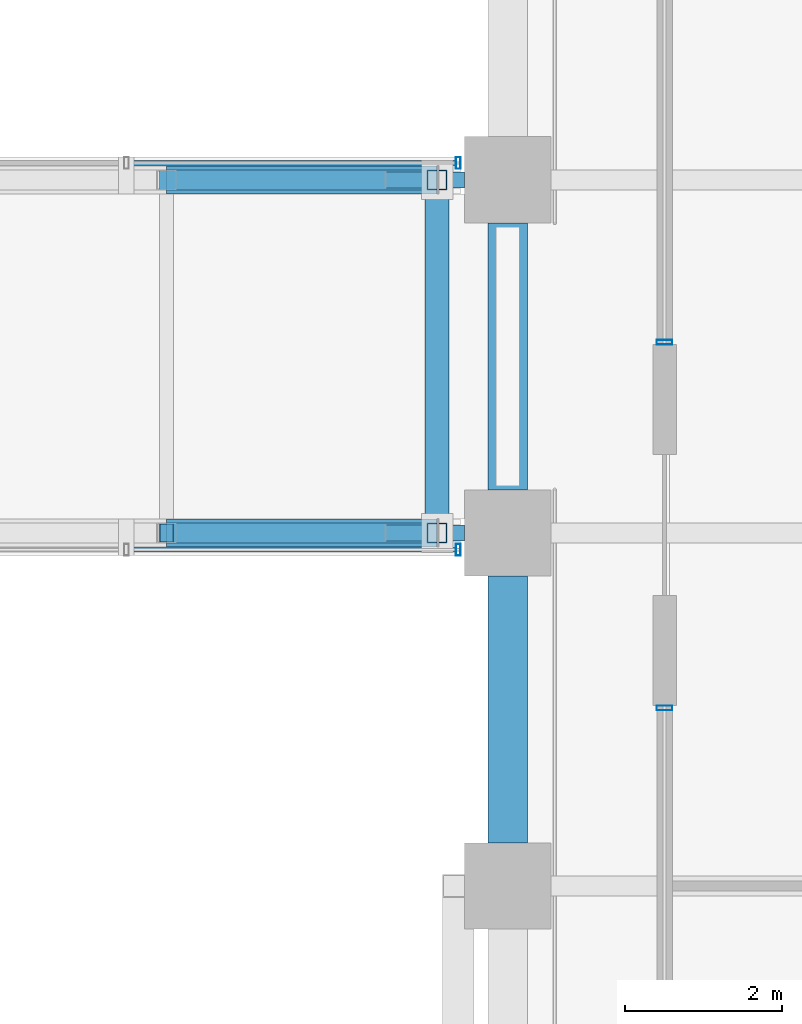
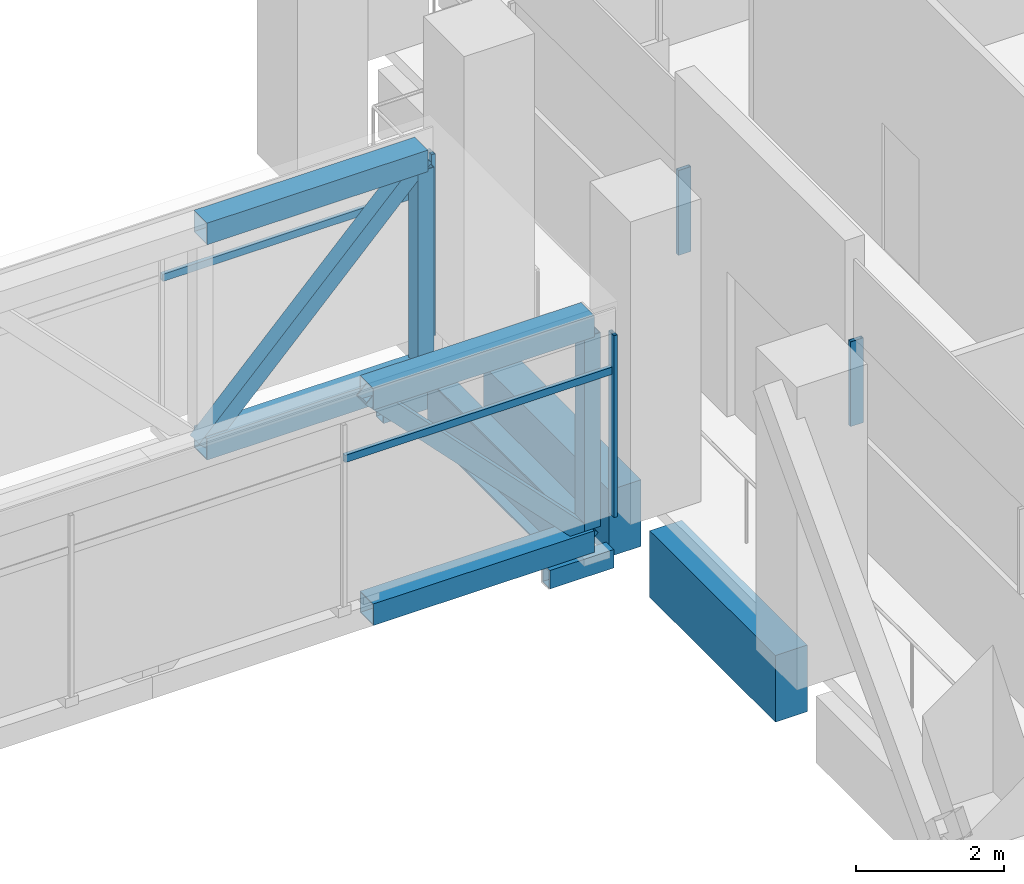
# One storey, part 28 of 44: 14 members, 5 beams, 4 elements without a shape of their own.
"""IFC4 building model written with IfcOpenShell, lengths in metres."""

from ifc_helpers import new_model, si_unit, direction, frame, origin, origin_2d, place, context, subcontext, project, spatial, rectangle, hollow_rectangle, i_section, extrude, material, material_profile, profile_set, type_object, element, aggregate, save


model = new_model("IFC4")

# Units and contexts
model_context = context("Model", 3, precision=1e-05, world=origin(), true_north=direction((0.0, 1.0)))
body_context = subcontext(model_context, "Body", "Model", "MODEL_VIEW")
ifc_project = project(units=[si_unit("LENGTHUNIT", "METRE"), si_unit("AREAUNIT", "SQUARE_METRE"), si_unit("VOLUMEUNIT", "CUBIC_METRE"), si_unit("PLANEANGLEUNIT", "RADIAN"), si_unit("MASSUNIT", "GRAM", prefix="KILO")], contexts=[model_context])

# Site, building, storey
site_placement = place(None, origin())
site = spatial("IfcSite", under=ifc_project, at=site_placement, CompositionType="ELEMENT")
building_placement = place(site_placement, origin())
building = spatial("IfcBuilding", under=site, at=building_placement, Name="Altepetl Exchange Towers", CompositionType="ELEMENT")
storey_placement = place(building_placement, frame((0.0, 0.0, 87.0)))
storey = spatial("IfcBuildingStorey", under=building, at=storey_placement, Name="L21 Refuge", CompositionType="ELEMENT", Elevation=87.0)

# Members
ifc_material_1 = material(Name="Steel S355", Category="steel")
ifc_material_profile_1 = material_profile(ifc_material_1, hollow_rectangle(XDim=0.35595703125, YDim=0.35595703125, WallThickness=0.014892578125, at=origin_2d()), Name="HSS356X356X15.9")
ifc_profile_set_1 = profile_set([ifc_material_profile_1], Name="Steel S355")
member_type_1 = type_object("IfcMemberType", Name="Bridge chord HSS356X356X15.9", PredefinedType="CHORD", material=ifc_profile_set_1)
for number, where, z_axis, x_axis, name in (
    (1, (90.14990234375, 45.0, -0.3779296875), (1.0, 0.0, 0.0), (0.0, 1.0, 0.0), "tr:X:L21:bc-s5"),
    (2, (90.14990234375, 45.0, 3.177978515625), (1.0, 0.0, 0.0), (0.0, 1.0, 0.0), "tr:X:L21:tc-s5"),
    (3, (90.14990234375, 49.5, -0.3779296875), (1.0, 0.0, 0.0), (0.0, 1.0, 0.0), "tr:X:L21:bc-n5"),
    (4, (90.14990234375, 49.5, 3.177978515625), (1.0, 0.0, 0.0), (0.0, 1.0, 0.0), "tr:X:L21:tc-n5"),
):
    element("IfcMember", number, at=place(storey_placement, frame(where, z_axis=z_axis, x_axis=x_axis)), inside=storey, type_object=member_type_1, Name=name, PredefinedType="CHORD", context=body_context, shape_type="SweptSolid", body=[
        extrude(hollow_rectangle(XDim=0.35595703125, YDim=0.35595703125, WallThickness=0.014892578125, at=origin_2d()), origin(), (0.0, 0.0, 1.0), 3.4501953125),
    ])

# Beams
ifc_material_profile_2 = material_profile(ifc_material_1, hollow_rectangle(XDim=0.202880859375, YDim=0.304931640625, WallThickness=0.01171875, at=origin_2d()), Name="HSS305X203X12.7")
ifc_profile_set_2 = profile_set([ifc_material_profile_2], Name="Steel S355")
beam_type_1 = type_object("IfcBeamType", Name="Bridge deck beam HSS305X203X12.7", PredefinedType="BEAM", material=ifc_profile_set_2)
for number, where, z_axis, x_axis, name in (
    (5, (93.949951171875, 45.0, -0.82861328125), (-1.0, 0.0, 0.0), (0.0, -1.0, 0.0), "bm:X:L21:corbel-bs"),
    (6, (93.949951171875, 49.5, -0.82861328125), (-1.0, 0.0, 0.0), (0.0, -1.0, 0.0), "bm:X:L21:corbel-bn"),
):
    element("IfcBeam", number, at=place(storey_placement, frame(where, z_axis=z_axis, x_axis=x_axis)), inside=storey, type_object=beam_type_1, Name=name, PredefinedType="BEAM", context=body_context, shape_type="SweptSolid", body=[
        extrude(hollow_rectangle(XDim=0.202880859375, YDim=0.304931640625, WallThickness=0.01171875, at=origin_2d()), origin(), (0.0, 0.0, 1.0), 1.0),
    ])
ifc_material_profile_3 = material_profile(ifc_material_1, i_section(OverallWidth=0.306884765625, OverallDepth=0.923095703125, WebThickness=0.018310546875, FlangeThickness=0.030029296875, at=origin_2d()), Name="W36X182")
ifc_profile_set_3 = profile_set([ifc_material_profile_3], Name="Steel S355")
beam_type_2 = type_object("IfcBeamType", Name="Bridge deck beam W36X182", PredefinedType="BEAM", material=ifc_profile_set_3)
beam_placement = place(storey_placement, frame((93.60009765625, 45.177978515625, -0.66162109375), z_axis=(0.0, 1.0, 0.0), x_axis=(-1.0, 0.0, 0.0)))
element("IfcBeam", 7, at=beam_placement, inside=storey, type_object=beam_type_2, Name="bm:X:L21:eg-b", PredefinedType="BEAM", context=body_context, shape_type="SweptSolid", body=[
    extrude(i_section(OverallWidth=0.306884765625, OverallDepth=0.923095703125, WebThickness=0.018310546875, FlangeThickness=0.030029296875, at=origin_2d()), origin(), (0.0, 0.0, 1.0), 4.14404296875),
])

# Members
ifc_material_profile_4 = material_profile(ifc_material_1, hollow_rectangle(XDim=0.25390625, YDim=0.25390625, WallThickness=0.01171875, at=origin_2d()), Name="HSS254X254X12.7")
ifc_profile_set_4 = profile_set([ifc_material_profile_4], Name="Steel S355")
member_type_2 = type_object("IfcMemberType", Name="Bridge diagonal HSS254X254X12.7", PredefinedType="BRACE", material=ifc_profile_set_4)
for number, where, z_axis, x_axis, name in (
    (8, (90.14990234375, 45.0, 3.177978515625), (0.696358204667, 0.0, -0.717694399305), (0.0, 1.0, 0.0), "tr:X:L21:dg-s5"),
    (9, (90.14990234375, 49.5, -0.3779296875), (0.696358204667, 0.0, 0.717694399305), (0.0, 1.0, 0.0), "tr:X:L21:dg-n5"),
):
    element("IfcMember", number, at=place(storey_placement, frame(where, z_axis=z_axis, x_axis=x_axis)), inside=storey, type_object=member_type_2, Name=name, PredefinedType="BRACE", context=body_context, shape_type="SweptSolid", body=[
        extrude(hollow_rectangle(XDim=0.25390625, YDim=0.25390625, WallThickness=0.01171875, at=origin_2d()), origin(), (0.0, 0.0, 1.0), 4.95458984375),
    ])
ifc_material_profile_5 = material_profile(ifc_material_1, hollow_rectangle(XDim=0.25390625, YDim=0.25390625, WallThickness=0.01171875, at=origin_2d()), Name="HSS254X254X12.7")
ifc_profile_set_5 = profile_set([ifc_material_profile_5], Name="Steel S355")
member_type_3 = type_object("IfcMemberType", Name="Bridge post HSS254X254X12.7", PredefinedType="POST", material=ifc_profile_set_5)
for number, where, name in (
    (10, (93.60009765625, 45.0, -0.199951171875), "tr:X:L21:ps-s6"),
    (11, (93.60009765625, 49.5, -0.199951171875), "tr:X:L21:ps-n6"),
):
    element("IfcMember", number, at=place(storey_placement, frame(where)), inside=storey, type_object=member_type_3, Name=name, PredefinedType="POST", context=body_context, shape_type="SweptSolid", body=[
        extrude(hollow_rectangle(XDim=0.25390625, YDim=0.25390625, WallThickness=0.01171875, at=origin_2d()), origin(), (0.0, 0.0, 1.0), 3.199951171875),
    ])

# Curtain wall, member
ifc_material_2 = material(Name="Aluminium 6063-T6 glazing", Category="aluminium")
curtain_wall_type_1 = type_object("IfcCurtainWallType", Name="Bridge enclosure system", PredefinedType="NOTDEFINED", material=ifc_material_2)
curtain_wall_1_placement = place(storey_placement, origin())
curtain_wall_1 = element("IfcCurtainWall", 12, at=curtain_wall_1_placement, inside=storey, type_object=curtain_wall_type_1, Name="CW6 run", PredefinedType="NOTDEFINED")
ifc_material_3 = material(Name="Aluminium 6063-T6", Category="aluminium")
ifc_material_profile_6 = material_profile(ifc_material_3, hollow_rectangle(XDim=0.06005859375, YDim=0.14990234375, WallThickness=0.0029296875, at=origin_2d()), Name="Mullion 60x150 aluminium")
ifc_profile_set_6 = profile_set([ifc_material_profile_6], Name="Aluminium 6063-T6")
member_type_4 = type_object("IfcMemberType", Name="Mullion 60x150 aluminium", PredefinedType="MULLION", material=ifc_profile_set_6)
member_1_placement = place(storey_placement, frame((93.8701171875, 44.784912109375, 0.0)))
member_1 = element("IfcMember", 13, at=member_1_placement, type_object=member_type_4, Name="MU1 mullion", PredefinedType="MULLION", context=body_context, shape_type="SweptSolid", body=[
    extrude(hollow_rectangle(XDim=0.06005859375, YDim=0.14990234375, WallThickness=0.0029296875, at=origin_2d()), origin(), (0.0, 0.0, 1.0), 3.0),
])

curtain_wall_2_placement = place(storey_placement, origin())
curtain_wall_2 = element("IfcCurtainWall", 14, at=curtain_wall_2_placement, inside=storey, type_object=curtain_wall_type_1, Name="CW6 run", PredefinedType="NOTDEFINED")
member_2_placement = place(storey_placement, frame((93.8701171875, 49.715087890625, 0.0)))
member_2 = element("IfcMember", 15, at=member_2_placement, type_object=member_type_4, Name="MU1 mullion", PredefinedType="MULLION", context=body_context, shape_type="SweptSolid", body=[
    extrude(hollow_rectangle(XDim=0.06005859375, YDim=0.14990234375, WallThickness=0.0029296875, at=origin_2d()), origin(), (0.0, 0.0, 1.0), 3.0),
])

curtain_wall_type_2 = type_object("IfcCurtainWallType", Name="Refuge slit glazing system", PredefinedType="NOTDEFINED", material=ifc_material_2)
curtain_wall_3_placement = place(storey_placement, origin())
curtain_wall_3 = element("IfcCurtainWall", 16, at=curtain_wall_3_placement, inside=storey, type_object=curtain_wall_type_2, Name="CW3 run", PredefinedType="NOTDEFINED")
ifc_material_profile_7 = material_profile(ifc_material_3, hollow_rectangle(XDim=0.06005859375, YDim=0.199951171875, WallThickness=0.0029296875, at=origin_2d()), Name="Mullion 60x200 aluminium")
ifc_profile_set_7 = profile_set([ifc_material_profile_7], Name="Aluminium 6063-T6")
member_type_5 = type_object("IfcMemberType", Name="Mullion 60x200 aluminium", PredefinedType="MULLION", material=ifc_profile_set_7)
member_3_placement = place(storey_placement, frame((96.5, 47.429931640625, 1.800048828125), z_axis=(0.0, 0.0, 1.0), x_axis=(0.0, -1.0, 0.0)))
member_3 = element("IfcMember", 17, at=member_3_placement, type_object=member_type_5, Name="MU2 mullion", PredefinedType="MULLION", context=body_context, shape_type="SweptSolid", body=[
    extrude(hollow_rectangle(XDim=0.06005859375, YDim=0.199951171875, WallThickness=0.0029296875, at=origin_2d()), origin(), (0.0, 0.0, 1.0), 1.39990234375),
])
aggregate(curtain_wall_3, [member_3])

curtain_wall_4_placement = place(storey_placement, origin())
curtain_wall_4 = element("IfcCurtainWall", 18, at=curtain_wall_4_placement, inside=storey, type_object=curtain_wall_type_2, Name="CW3 run", PredefinedType="NOTDEFINED")
member_4_placement = place(storey_placement, frame((96.5, 42.77001953125, 1.800048828125), z_axis=(0.0, 0.0, 1.0), x_axis=(0.0, -1.0, 0.0)))
member_4 = element("IfcMember", 19, at=member_4_placement, type_object=member_type_5, Name="MU2 mullion", PredefinedType="MULLION", context=body_context, shape_type="SweptSolid", body=[
    extrude(hollow_rectangle(XDim=0.06005859375, YDim=0.199951171875, WallThickness=0.0029296875, at=origin_2d()), origin(), (0.0, 0.0, 1.0), 1.39990234375),
])
aggregate(curtain_wall_4, [member_4])

# Beams
ifc_material_4 = material(Name="Concrete C50/60 precast with cantera rosa facing", Category="concrete")
ifc_material_profile_8 = material_profile(ifc_material_4, rectangle(XDim=0.5, YDim=1.10009765625, at=origin_2d()), Name="500 x 1100")
ifc_profile_set_8 = profile_set([ifc_material_profile_8], Name="Concrete C50/60 precast with cantera rosa facing")
beam_type_3 = type_object("IfcBeamType", Name="Spandrel beam 500x1100 cantera rosa", PredefinedType="SPANDREL", material=ifc_profile_set_8)
for number, where, z_axis, x_axis, name in (
    (20, (94.5, 48.949951171875, -0.75), (0.0, -1.0, 0.0), (1.0, 0.0, 0.0), "sp:B:L21:028"),
    (21, (94.5, 44.449951171875, -0.75), (0.0, -1.0, 0.0), (1.0, 0.0, 0.0), "sp:B:L21:029"),
):
    element("IfcBeam", number, at=place(storey_placement, frame(where, z_axis=z_axis, x_axis=x_axis)), inside=storey, type_object=beam_type_3, Name=name, PredefinedType="SPANDREL", context=body_context, shape_type="SweptSolid", body=[
        extrude(rectangle(XDim=0.5, YDim=1.10009765625, at=origin_2d()), origin(), (0.0, 0.0, 1.0), 3.39990234375),
    ])

# Member
ifc_material_profile_9 = material_profile(ifc_material_3, hollow_rectangle(XDim=0.06005859375, YDim=0.1201171875, WallThickness=0.0029296875, at=origin_2d()), Name="Transom 60x120 aluminium")
ifc_profile_set_9 = profile_set([ifc_material_profile_9], Name="Aluminium 6063-T6")
member_type_6 = type_object("IfcMemberType", Name="Transom 60x120 aluminium", PredefinedType="USERDEFINED", material=ifc_profile_set_9)
member_5_placement = place(storey_placement, frame((89.669921875, 44.784912109375, 2.39990234375), z_axis=(1.0, 0.0, 0.0), x_axis=(0.0, 1.0, 0.0)))
member_5 = element("IfcMember", 22, at=member_5_placement, type_object=member_type_6, Name="TR1 transom", ObjectType="TRANSOM", PredefinedType="USERDEFINED", context=body_context, shape_type="SweptSolid", body=[
    extrude(hollow_rectangle(XDim=0.06005859375, YDim=0.1201171875, WallThickness=0.0029296875, at=origin_2d()), origin(), (0.0, 0.0, 1.0), 4.170166015625),
])

aggregate(curtain_wall_1, [member_1, member_5])

member_6_placement = place(storey_placement, frame((89.669921875, 49.715087890625, 2.39990234375), z_axis=(1.0, 0.0, 0.0), x_axis=(0.0, 1.0, 0.0)))
member_6 = element("IfcMember", 23, at=member_6_placement, type_object=member_type_6, Name="TR1 transom", ObjectType="TRANSOM", PredefinedType="USERDEFINED", context=body_context, shape_type="SweptSolid", body=[
    extrude(hollow_rectangle(XDim=0.06005859375, YDim=0.1201171875, WallThickness=0.0029296875, at=origin_2d()), origin(), (0.0, 0.0, 1.0), 4.170166015625),
])

aggregate(curtain_wall_2, [member_2, member_6])

save(model, "model.ifc")
